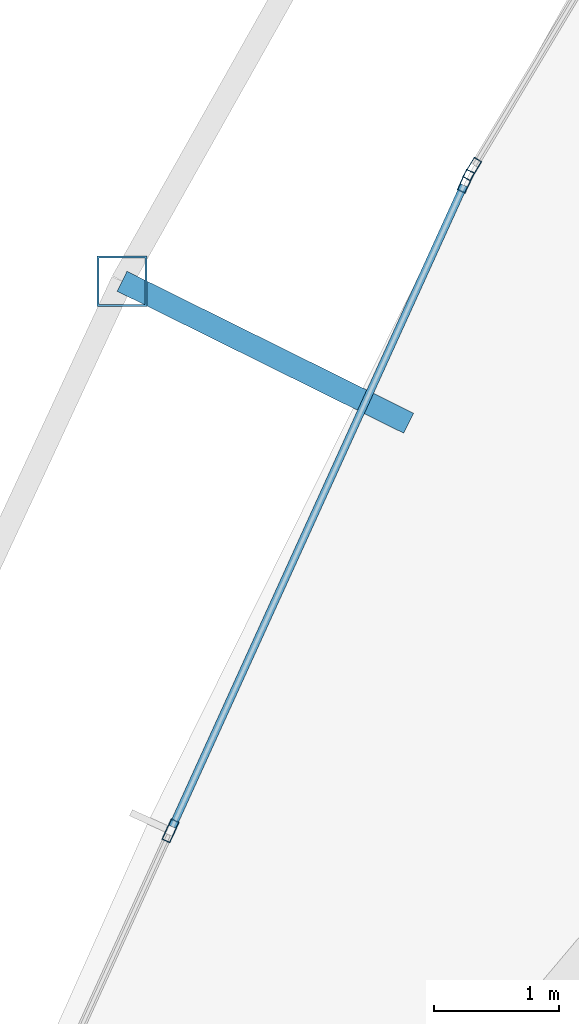
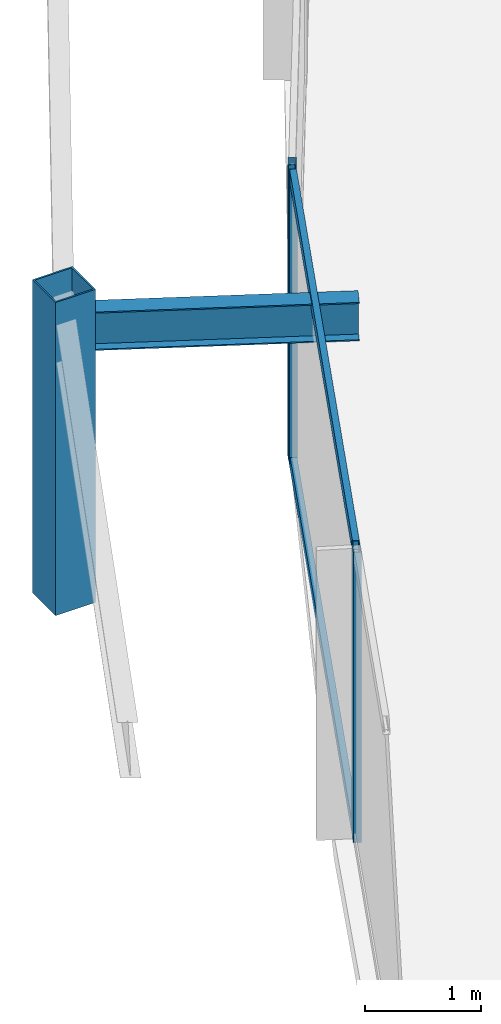
# One storey, part 9 of 31: 6 members, 1 beam, 2 elements without a shape of their own.
"""IFC4 building model written with IfcOpenShell, lengths in metres."""

from ifc_helpers import new_model, si_unit, direction, frame, origin, origin_2d, place, context, subcontext, project, spatial, hollow_rectangle, i_section, extrude, material, layer, layer_set, material_profile, profile_set, type_object, element, aggregate, save


model = new_model("IFC4")

# Units and contexts
model_context = context("Model", 3, precision=1e-05, world=origin(), true_north=direction((0.0, 1.0)))
body_context = subcontext(model_context, "Body", "Model", "MODEL_VIEW")
ifc_project = project(units=[si_unit("LENGTHUNIT", "METRE"), si_unit("AREAUNIT", "SQUARE_METRE"), si_unit("VOLUMEUNIT", "CUBIC_METRE"), si_unit("PLANEANGLEUNIT", "RADIAN"), si_unit("MASSUNIT", "GRAM", prefix="KILO")], contexts=[model_context])

# Site, building, storey
site_placement = place(None, origin())
site = spatial("IfcSite", under=ifc_project, at=site_placement, CompositionType="ELEMENT")
building_placement = place(site_placement, origin())
building = spatial("IfcBuilding", under=site, at=building_placement, Name="Orvanel Arch Residences", CompositionType="ELEMENT")
storey_placement = place(building_placement, frame((0.0, 0.0, 126.5)))
storey = spatial("IfcBuildingStorey", under=building, at=storey_placement, Name="L35", CompositionType="ELEMENT", Elevation=126.5)

# Curtain wall, member
ifc_material_1 = material(Name="Bronze-anodised aluminium AA6063-T6", Category="aluminium")
ifc_layer = layer(ifc_material_1, 0.179931640625)
ifc_layer_set = layer_set([ifc_layer], Name="Bronze-anodised aluminium AA6063-T6")
curtain_wall_type = type_object("IfcCurtainWallType", Name="CW3-MID-SYS", PredefinedType="NOTDEFINED", material=ifc_layer_set)
curtain_wall_1_placement = place(storey_placement, origin())
curtain_wall_1 = element("IfcCurtainWall", 1, at=curtain_wall_1_placement, inside=storey, type_object=curtain_wall_type, Name="L35 CW3-MID-SYS Unitised Curtain Wall", PredefinedType="NOTDEFINED")
ifc_material_profile_1 = material_profile(ifc_material_1, hollow_rectangle(XDim=0.070068359375, YDim=0.179931640625, WallThickness=0.00439453125, at=origin_2d()), Name="ALU180x70x4.5")
ifc_profile_set_1 = profile_set([ifc_material_profile_1], Name="Bronze-anodised aluminium AA6063-T6")
member_type_1 = type_object("IfcMemberType", Name="MUL-180x70", PredefinedType="MULLION", material=ifc_profile_set_1)
member_1_placement = place(storey_placement, frame((14.4189453125, 24.64599609375, 0.0), z_axis=(0.0, 0.0, 1.0), x_axis=(0.857531765451, -0.514431016991, 0.0)))
member_1 = element("IfcMember", 2, at=member_1_placement, type_object=member_type_1, Name="CW-S3 mullion 3", PredefinedType="MULLION", context=body_context, shape_type="SweptSolid", body=[
    extrude(hollow_rectangle(XDim=0.070068359375, YDim=0.179931640625, WallThickness=0.00439453125, at=origin_2d()), origin(), (0.0, 0.0, 1.0), 3.06005859375),
])
aggregate(curtain_wall_1, [member_1])

# Curtain wall, members
curtain_wall_2_placement = place(storey_placement, origin())
curtain_wall_2 = element("IfcCurtainWall", 3, at=curtain_wall_2_placement, inside=storey, type_object=curtain_wall_type, Name="L35 CW3-MID-SYS Unitised Curtain Wall", PredefinedType="NOTDEFINED")
member_2_placement = place(storey_placement, frame((14.368408203125, 24.549072265625, 0.0), z_axis=(0.0, 0.0, 1.0), x_axis=(0.91032458365, -0.413895098306, 0.0)))
member_2 = element("IfcMember", 4, at=member_2_placement, type_object=member_type_1, Name="CW-S3 mullion 1", PredefinedType="MULLION", context=body_context, shape_type="SweptSolid", body=[
    extrude(hollow_rectangle(XDim=0.070068359375, YDim=0.179931640625, WallThickness=0.00439453125, at=origin_2d()), origin(), (0.0, 0.0, 1.0), 3.06005859375),
])
member_3_placement = place(storey_placement, frame((12.014404296875, 19.371337890625, 0.0), z_axis=(0.0, 0.0, 1.0), x_axis=(0.91032458365, -0.413895098306, 0.0)))
member_3 = element("IfcMember", 5, at=member_3_placement, type_object=member_type_1, Name="CW-S3 mullion 2", PredefinedType="MULLION", context=body_context, shape_type="SweptSolid", body=[
    extrude(hollow_rectangle(XDim=0.070068359375, YDim=0.179931640625, WallThickness=0.00439453125, at=origin_2d()), origin(), (0.0, 0.0, 1.0), 3.06005859375),
])

# Beam
ifc_material_2 = material(Name="Structural steel AS/NZS 3679.1 Grade 300 (300 MPa)", Category="steel")
ifc_material_profile_2 = material_profile(ifc_material_2, i_section(OverallWidth=0.177978515625, OverallDepth=0.406005859375, WebThickness=0.0078125, FlangeThickness=0.0126953125, at=origin_2d()), Name="410UB59.7")
ifc_profile_set_2 = profile_set([ifc_material_profile_2], Name="Structural steel AS/NZS 3679.1 Grade 300 (300 MPa)")
beam_type = type_object("IfcBeamType", Name="OB-410UB-EXT", PredefinedType="SPANDREL", material=ifc_profile_set_2)
beam_placement = place(storey_placement, frame((13.9130859375, 22.6201171875, 2.85693359375), z_axis=(-0.896105827705, 0.44384045056, 0.0), x_axis=(-0.44384045056, -0.896105827705, 0.0)))
element("IfcBeam", 6, at=beam_placement, inside=storey, type_object=beam_type, Name="L35 Outer Frame Radial Tie Beam 03", PredefinedType="SPANDREL", context=body_context, shape_type="SweptSolid", body=[
    extrude(i_section(OverallWidth=0.177978515625, OverallDepth=0.406005859375, WebThickness=0.0078125, FlangeThickness=0.0126953125, at=origin_2d()), origin(), (0.0, 0.0, 1.0), 2.550048828125),
])

# Member
ifc_material_3 = material(Name="Structural steel AS/NZS 1163 C450L0 (Grade 450)", Category="steel")
ifc_material_profile_3 = material_profile(ifc_material_3, hollow_rectangle(XDim=0.39990234375, YDim=0.39990234375, WallThickness=0.01611328125, at=origin_2d()), Name="SHS400x400x16")
ifc_profile_set_3 = profile_set([ifc_material_profile_3], Name="Structural steel AS/NZS 1163 C450L0 (Grade 450)")
member_type_2 = type_object("IfcMemberType", Name="ST-400SHS-EXT", PredefinedType="STRUT", material=ifc_profile_set_3)
member_4_placement = place(storey_placement, frame((11.6279296875, 23.751953125, 0.0), z_axis=(0.0, 0.0, 1.0), x_axis=(1.0, 0.0, 0.0)))
element("IfcMember", 7, at=member_4_placement, inside=storey, type_object=member_type_2, Name="L35 Outer Perimeter Frame Post 03", PredefinedType="STRUT", context=body_context, shape_type="SweptSolid", body=[
    extrude(hollow_rectangle(XDim=0.39990234375, YDim=0.39990234375, WallThickness=0.01611328125, at=origin_2d()), origin(), (0.0, 0.0, 1.0), 3.300048828125),
])

ifc_material_profile_4 = material_profile(ifc_material_1, hollow_rectangle(XDim=0.06005859375, YDim=0.135009765625, WallThickness=0.00390625, at=origin_2d()), Name="ALU135x60x4")
ifc_profile_set_4 = profile_set([ifc_material_profile_4], Name="Bronze-anodised aluminium AA6063-T6")
member_type_3 = type_object("IfcMemberType", Name="TRN-135x60", PredefinedType="USERDEFINED", material=ifc_profile_set_4)
member_5_placement = place(storey_placement, frame((14.35400390625, 24.517333984375, 0.030029296875), z_axis=(-0.413881521981, -0.910330756243, 0.0), x_axis=(0.910330756243, -0.413881521981, 0.0)))
member_5 = element("IfcMember", 8, at=member_5_placement, type_object=member_type_3, Name="CW-S3 transom 1.1", ObjectType="TRANSOM", PredefinedType="USERDEFINED", context=body_context, shape_type="SweptSolid", body=[
    extrude(hollow_rectangle(XDim=0.06005859375, YDim=0.135009765625, WallThickness=0.00390625, at=origin_2d()), origin(), (0.0, 0.0, 1.0), 5.617919921875),
])

member_6_placement = place(storey_placement, frame((14.35400390625, 24.517333984375, 3.030029296875), z_axis=(-0.413881521981, -0.910330756243, 0.0), x_axis=(0.910330756243, -0.413881521981, 0.0)))
member_6 = element("IfcMember", 9, at=member_6_placement, type_object=member_type_3, Name="CW-S3 transom 1.2", ObjectType="TRANSOM", PredefinedType="USERDEFINED", context=body_context, shape_type="SweptSolid", body=[
    extrude(hollow_rectangle(XDim=0.06005859375, YDim=0.135009765625, WallThickness=0.00390625, at=origin_2d()), origin(), (0.0, 0.0, 1.0), 5.617919921875),
])

aggregate(curtain_wall_2, [member_2, member_3, member_5, member_6])

save(model, "model.ifc")
